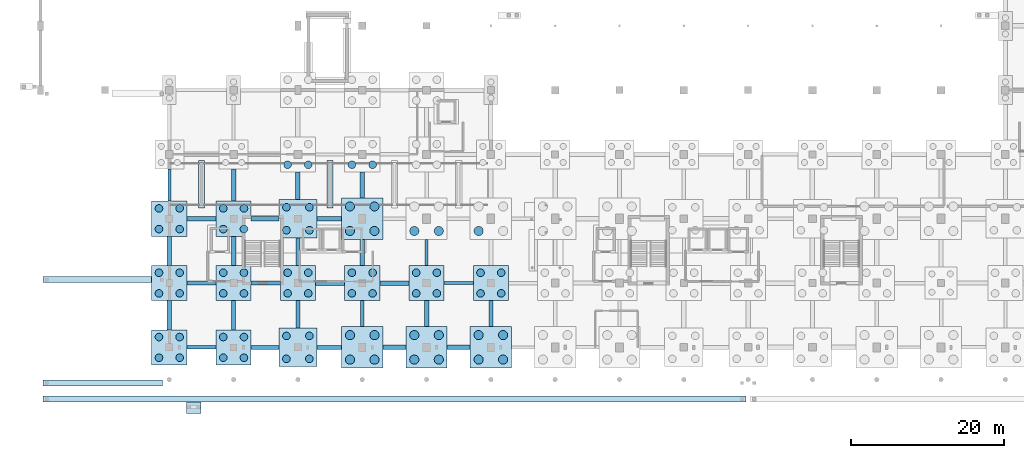
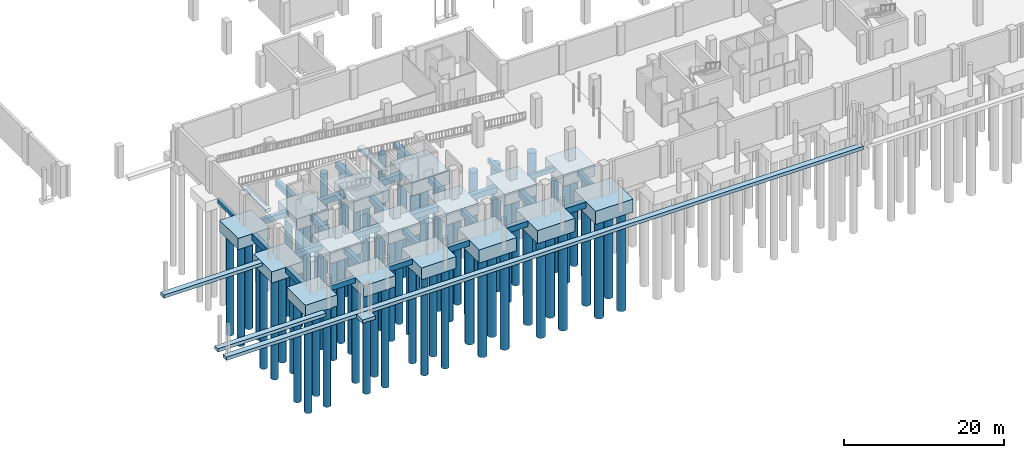
# One storey, part 1 of 39: 71 piles, 50 footings.
"""IFC4 building model written with IfcOpenShell, lengths in metres."""

from ifc_helpers import new_model, si_unit, derived_unit, direction, frame, origin, origin_2d, place, context, subcontext, project, spatial, polyline, rectangle, circle, outline, extrude, material, material_profile, profile_set, type_object, element, save


model = new_model("IFC4")

# Units and contexts
model_context = context("Model", 3, precision=1e-05, world=origin(), true_north=direction((0.0, 1.0)))
body_context = subcontext(model_context, "Body", "Model", "MODEL_VIEW")
ifc_project = project(units=[si_unit("LENGTHUNIT", "METRE"), si_unit("AREAUNIT", "SQUARE_METRE"), si_unit("VOLUMEUNIT", "CUBIC_METRE"), si_unit("PLANEANGLEUNIT", "RADIAN"), si_unit("MASSUNIT", "GRAM", prefix="KILO"), derived_unit("THERMALTRANSMITTANCEUNIT", [(si_unit("POWERUNIT", "WATT"), 1), (si_unit("LENGTHUNIT", "METRE"), -2), (si_unit("THERMODYNAMICTEMPERATUREUNIT", "KELVIN"), -1)])], contexts=[model_context])

# Site, building, storey
site_placement = place(None, origin())
site = spatial("IfcSite", under=ifc_project, at=site_placement, CompositionType="ELEMENT")
building_placement = place(site_placement, origin())
building = spatial("IfcBuilding", under=site, at=building_placement, Name="Barrovel Congress Hotel", CompositionType="ELEMENT")
storey_placement = place(building_placement, frame((0.0, 0.0, -4.5)))
storey = spatial("IfcBuildingStorey", under=building, at=storey_placement, Name="B01", CompositionType="ELEMENT", Elevation=-4.5)

# Footings
ifc_material_1 = material(Name="Concrete C40", Category="concrete")
footing_type_1 = type_object("IfcFootingType", Name="CAP-PC-09", PredefinedType="PILE_CAP", material=ifc_material_1)
for number, where, z_axis, x_axis, name in (
    (1, (16.800048828125, 4.199951171875, -2.06005859375), (0.0, 0.0, 1.0), (1.0, 0.0, 0.0), "CAP:B01:16.8:4.2"),
    (2, (16.800048828125, 12.60009765625, -2.06005859375), (0.0, 0.0, 1.0), (1.0, 0.0, 0.0), "CAP:B01:16.8:12.6"),
    (3, (16.800048828125, 21.0, -2.06005859375), (0.0, 0.0, 1.0), (1.0, 0.0, 0.0), "CAP:B01:16.8:21.0"),
    (4, (25.199951171875, 4.199951171875, -2.06005859375), (0.0, 0.0, 1.0), (1.0, 0.0, 0.0), "CAP:B01:25.2:4.2"),
    (5, (25.199951171875, 12.60009765625, -2.06005859375), (0.0, 0.0, 1.0), (1.0, 0.0, 0.0), "CAP:B01:25.2:12.6"),
    (6, (25.199951171875, 21.0, -2.06005859375), (0.0, 0.0, 1.0), (1.0, 0.0, 0.0), "CAP:B01:25.2:21.0"),
    (7, (33.60009765625, 12.60009765625, -2.06005859375), (0.0, 0.0, 1.0), (1.0, 0.0, 0.0), "CAP:B01:33.6:12.6"),
    (8, (42.0, 12.60009765625, -2.06005859375), (0.0, 0.0, 1.0), (1.0, 0.0, 0.0), "CAP:B01:42.0:12.6"),
    (9, (50.39990234375, 12.60009765625, -2.06005859375), (0.0, 0.0, 1.0), (1.0, 0.0, 0.0), "CAP:B01:50.4:12.6"),
    (10, (58.800048828125, 12.60009765625, -2.06005859375), (0.0, 0.0, 1.0), (1.0, 0.0, 0.0), "CAP:B01:58.8:12.6"),
):
    element("IfcFooting", number, at=place(storey_placement, frame(where, z_axis=z_axis, x_axis=x_axis)), inside=storey, type_object=footing_type_1, Name=name, PredefinedType="PILE_CAP", context=body_context, shape_type="SweptSolid", body=[
        extrude(rectangle(XDim=4.60009765625, YDim=4.60009765625, at=origin_2d()), origin(), (0.0, 0.0, 1.0), 1.699951171875),
    ])
footing_type_2 = type_object("IfcFootingType", Name="CAP-PC-10", PredefinedType="PILE_CAP", material=ifc_material_1)
for number, where, z_axis, x_axis, name in (
    (11, (33.60009765625, 4.199951171875, -2.16015625), (0.0, 0.0, 1.0), (1.0, 0.0, 0.0), "CAP:B01:33.6:4.2"),
    (12, (33.60009765625, 21.0, -2.16015625), (0.0, 0.0, 1.0), (1.0, 0.0, 0.0), "CAP:B01:33.6:21.0"),
):
    element("IfcFooting", number, at=place(storey_placement, frame(where, z_axis=z_axis, x_axis=x_axis)), inside=storey, type_object=footing_type_2, Name=name, PredefinedType="PILE_CAP", context=body_context, shape_type="SweptSolid", body=[
        extrude(rectangle(XDim=5.0, YDim=5.0, at=origin_2d()), origin(), (0.0, 0.0, 1.0), 1.800048828125),
    ])
footing_type_3 = type_object("IfcFootingType", Name="CAP-PC-11", PredefinedType="PILE_CAP", material=ifc_material_1)
for number, where, z_axis, x_axis, name in (
    (13, (42.0, 4.199951171875, -2.360107421875), (0.0, 0.0, 1.0), (1.0, 0.0, 0.0), "CAP:B01:42.0:4.2"),
    (14, (42.0, 21.0, -2.360107421875), (0.0, 0.0, 1.0), (1.0, 0.0, 0.0), "CAP:B01:42.0:21.0"),
    (15, (50.39990234375, 4.199951171875, -2.360107421875), (0.0, 0.0, 1.0), (1.0, 0.0, 0.0), "CAP:B01:50.4:4.2"),
    (16, (58.800048828125, 4.199951171875, -2.360107421875), (0.0, 0.0, 1.0), (1.0, 0.0, 0.0), "CAP:B01:58.8:4.2"),
):
    element("IfcFooting", number, at=place(storey_placement, frame(where, z_axis=z_axis, x_axis=x_axis)), inside=storey, type_object=footing_type_3, Name=name, PredefinedType="PILE_CAP", context=body_context, shape_type="SweptSolid", body=[
        extrude(rectangle(XDim=5.39990234375, YDim=5.39990234375, at=origin_2d()), origin(), (0.0, 0.0, 1.0), 2.0),
    ])
footing_type_4 = type_object("IfcFootingType", Name="FB-400x700", PredefinedType="FOOTING_BEAM", material=ifc_material_1)
footing_1_placement = place(storey_placement, frame((0.0, 0.0, -1.06005859375)))
element("IfcFooting", 17, at=footing_1_placement, inside=storey, type_object=footing_type_4, Name="FBX:B01:12.6:50.4-58.8", PredefinedType="FOOTING_BEAM", context=body_context, shape_type="SweptSolid", body=[
    extrude(outline(polyline([(52.699951171875, 12.39990234375), (56.5, 12.39990234375), (56.5, 12.800048828125), (52.699951171875, 12.800048828125), (52.699951171875, 12.39990234375)])), origin(), (0.0, 0.0, 1.0), 0.699951171875),
])
footing_2_placement = place(storey_placement, frame((0.0, 0.0, -1.06005859375)))
element("IfcFooting", 18, at=footing_2_placement, inside=storey, type_object=footing_type_4, Name="FBY:B01:16.8:21.0-29.4", PredefinedType="FOOTING_BEAM", context=body_context, shape_type="SweptSolid", body=[
    extrude(outline(polyline([(16.60009765625, 23.300048828125), (17.0, 23.300048828125), (17.0, 27.5), (16.60009765625, 27.5), (16.60009765625, 23.300048828125)])), origin(), (0.0, 0.0, 1.0), 0.699951171875),
])
footing_3_placement = place(storey_placement, frame((0.0, 0.0, -1.06005859375)))
element("IfcFooting", 19, at=footing_3_placement, inside=storey, type_object=footing_type_4, Name="FBY:B01:50.4:12.6-21.0", PredefinedType="FOOTING_BEAM", context=body_context, shape_type="SweptSolid", body=[
    extrude(outline(polyline([(50.199951171875, 14.89990234375), (50.60009765625, 14.89990234375), (50.60009765625, 18.300048828125), (50.199951171875, 18.300048828125), (50.199951171875, 14.89990234375)])), origin(), (0.0, 0.0, 1.0), 0.699951171875),
])
footing_type_5 = type_object("IfcFootingType", Name="FB-450x750", PredefinedType="FOOTING_BEAM", material=ifc_material_1)
footing_4_placement = place(storey_placement, frame((0.0, 0.0, -1.110107421875)))
element("IfcFooting", 20, at=footing_4_placement, inside=storey, type_object=footing_type_5, Name="FBX:B01:4.2:16.8-25.2", PredefinedType="FOOTING_BEAM", context=body_context, shape_type="SweptSolid", body=[
    extrude(outline(polyline([(19.10009765625, 3.97509765625), (22.89990234375, 3.97509765625), (22.89990234375, 4.425048828125), (19.10009765625, 4.425048828125), (19.10009765625, 3.97509765625)])), origin(), (0.0, 0.0, 1.0), 0.75),
])
footing_type_6 = type_object("IfcFootingType", Name="FB-500x800", PredefinedType="FOOTING_BEAM", material=ifc_material_1)
footing_5_placement = place(storey_placement, frame((0.0, 0.0, -1.159912109375)))
element("IfcFooting", 21, at=footing_5_placement, inside=storey, type_object=footing_type_6, Name="FBX:B01:4.2:25.2-33.6", PredefinedType="FOOTING_BEAM", context=body_context, shape_type="SweptSolid", body=[
    extrude(outline(polyline([(27.5, 3.949951171875), (31.10009765625, 3.949951171875), (31.10009765625, 4.449951171875), (27.5, 4.449951171875), (27.5, 3.949951171875)])), origin(), (0.0, 0.0, 1.0), 0.7998046875),
])
footing_6_placement = place(storey_placement, frame((0.0, 0.0, -1.159912109375)))
element("IfcFooting", 22, at=footing_6_placement, inside=storey, type_object=footing_type_6, Name="FBX:B01:12.6:16.8-25.2", PredefinedType="FOOTING_BEAM", context=body_context, shape_type="SweptSolid", body=[
    extrude(outline(polyline([(19.10009765625, 12.35009765625), (22.89990234375, 12.35009765625), (22.89990234375, 12.85009765625), (19.10009765625, 12.85009765625), (19.10009765625, 12.35009765625)])), origin(), (0.0, 0.0, 1.0), 0.7998046875),
])
footing_7_placement = place(storey_placement, frame((0.0, 0.0, -1.159912109375)))
element("IfcFooting", 23, at=footing_7_placement, inside=storey, type_object=footing_type_6, Name="FBY:B01:33.6:4.2-12.6", PredefinedType="FOOTING_BEAM", context=body_context, shape_type="SweptSolid", body=[
    extrude(outline(polyline([(33.35009765625, 6.699951171875), (33.85009765625, 6.699951171875), (33.85009765625, 10.300048828125), (33.35009765625, 10.300048828125), (33.35009765625, 6.699951171875)])), origin(), (0.0, 0.0, 1.0), 0.7998046875),
])
footing_8_placement = place(storey_placement, frame((0.0, 0.0, -1.159912109375)))
element("IfcFooting", 24, at=footing_8_placement, inside=storey, type_object=footing_type_6, Name="FBY:B01:42.0:4.2-12.6", PredefinedType="FOOTING_BEAM", context=body_context, shape_type="SweptSolid", body=[
    extrude(outline(polyline([(41.75, 6.89990234375), (42.25, 6.89990234375), (42.25, 10.300048828125), (41.75, 10.300048828125), (41.75, 6.89990234375)])), origin(), (0.0, 0.0, 1.0), 0.7998046875),
])
footing_9_placement = place(storey_placement, frame((0.0, 0.0, -1.159912109375)))
element("IfcFooting", 25, at=footing_9_placement, inside=storey, type_object=footing_type_6, Name="FBY:B01:58.8:4.2-12.6", PredefinedType="FOOTING_BEAM", context=body_context, shape_type="SweptSolid", body=[
    extrude(outline(polyline([(58.550048828125, 6.89990234375), (59.050048828125, 6.89990234375), (59.050048828125, 10.300048828125), (58.550048828125, 10.300048828125), (58.550048828125, 6.89990234375)])), origin(), (0.0, 0.0, 1.0), 0.7998046875),
])
footing_type_7 = type_object("IfcFootingType", Name="FB-550x850", PredefinedType="FOOTING_BEAM", material=ifc_material_1)
footing_10_placement = place(storey_placement, frame((0.0, 0.0, -1.2099609375)))
element("IfcFooting", 26, at=footing_10_placement, inside=storey, type_object=footing_type_7, Name="FBX:B01:4.2:33.6-42.0", PredefinedType="FOOTING_BEAM", context=body_context, shape_type="SweptSolid", body=[
    extrude(outline(polyline([(36.10009765625, 3.925048828125), (39.300048828125, 3.925048828125), (39.300048828125, 4.47509765625), (36.10009765625, 4.47509765625), (36.10009765625, 3.925048828125)])), origin(), (0.0, 0.0, 1.0), 0.849853515625),
])
footing_11_placement = place(storey_placement, frame((0.0, 0.0, -1.2099609375)))
element("IfcFooting", 27, at=footing_11_placement, inside=storey, type_object=footing_type_7, Name="FBX:B01:12.6:25.2-33.6", PredefinedType="FOOTING_BEAM", context=body_context, shape_type="SweptSolid", body=[
    extrude(outline(polyline([(27.5, 12.324951171875), (31.300048828125, 12.324951171875), (31.300048828125, 12.875), (27.5, 12.875), (27.5, 12.324951171875)])), origin(), (0.0, 0.0, 1.0), 0.849853515625),
])
footing_12_placement = place(storey_placement, frame((0.0, 0.0, -1.2099609375)))
element("IfcFooting", 28, at=footing_12_placement, inside=storey, type_object=footing_type_7, Name="FBX:B01:21.0:16.8-25.2", PredefinedType="FOOTING_BEAM", context=body_context, shape_type="SweptSolid", body=[
    extrude(outline(polyline([(19.10009765625, 20.72509765625), (22.89990234375, 20.72509765625), (22.89990234375, 21.27490234375), (19.10009765625, 21.27490234375), (19.10009765625, 20.72509765625)])), origin(), (0.0, 0.0, 1.0), 0.849853515625),
])
footing_13_placement = place(storey_placement, frame((0.0, 0.0, -1.2099609375)))
element("IfcFooting", 29, at=footing_13_placement, inside=storey, type_object=footing_type_7, Name="FBY:B01:25.2:4.2-12.6", PredefinedType="FOOTING_BEAM", context=body_context, shape_type="SweptSolid", body=[
    extrude(outline(polyline([(24.925048828125, 6.5), (25.47509765625, 6.5), (25.47509765625, 10.300048828125), (24.925048828125, 10.300048828125), (24.925048828125, 6.5)])), origin(), (0.0, 0.0, 1.0), 0.849853515625),
])
footing_14_placement = place(storey_placement, frame((0.0, 0.0, -1.2099609375)))
element("IfcFooting", 30, at=footing_14_placement, inside=storey, type_object=footing_type_7, Name="FBY:B01:33.6:12.6-21.0", PredefinedType="FOOTING_BEAM", context=body_context, shape_type="SweptSolid", body=[
    extrude(outline(polyline([(33.324951171875, 14.89990234375), (33.875, 14.89990234375), (33.875, 18.5), (33.324951171875, 18.5), (33.324951171875, 14.89990234375)])), origin(), (0.0, 0.0, 1.0), 0.849853515625),
])
footing_15_placement = place(storey_placement, frame((0.0, 0.0, -1.2099609375)))
element("IfcFooting", 31, at=footing_15_placement, inside=storey, type_object=footing_type_7, Name="FBY:B01:42.0:12.6-21.0", PredefinedType="FOOTING_BEAM", context=body_context, shape_type="SweptSolid", body=[
    extrude(outline(polyline([(41.72509765625, 14.89990234375), (42.27490234375, 14.89990234375), (42.27490234375, 18.300048828125), (41.72509765625, 18.300048828125), (41.72509765625, 14.89990234375)])), origin(), (0.0, 0.0, 1.0), 0.849853515625),
])
footing_type_8 = type_object("IfcFootingType", Name="FB-600x850", PredefinedType="FOOTING_BEAM", material=ifc_material_1)
footing_16_placement = place(storey_placement, frame((0.0, 0.0, -1.2099609375)))
element("IfcFooting", 32, at=footing_16_placement, inside=storey, type_object=footing_type_8, Name="FBX:B01:4.2:42.0-50.4", PredefinedType="FOOTING_BEAM", context=body_context, shape_type="SweptSolid", body=[
    extrude(outline(polyline([(44.699951171875, 3.89990234375), (47.699951171875, 3.89990234375), (47.699951171875, 4.5), (44.699951171875, 4.5), (44.699951171875, 3.89990234375)])), origin(), (0.0, 0.0, 1.0), 0.849853515625),
])
footing_17_placement = place(storey_placement, frame((0.0, 0.0, -1.2099609375)))
element("IfcFooting", 33, at=footing_17_placement, inside=storey, type_object=footing_type_8, Name="FBX:B01:12.6:33.6-42.0", PredefinedType="FOOTING_BEAM", context=body_context, shape_type="SweptSolid", body=[
    extrude(outline(polyline([(35.89990234375, 12.300048828125), (39.699951171875, 12.300048828125), (39.699951171875, 12.89990234375), (35.89990234375, 12.89990234375), (35.89990234375, 12.300048828125)])), origin(), (0.0, 0.0, 1.0), 0.849853515625),
])
footing_18_placement = place(storey_placement, frame((0.0, 0.0, -1.2099609375)))
element("IfcFooting", 34, at=footing_18_placement, inside=storey, type_object=footing_type_8, Name="FBX:B01:21.0:25.2-33.6", PredefinedType="FOOTING_BEAM", context=body_context, shape_type="SweptSolid", body=[
    extrude(outline(polyline([(27.5, 20.699951171875), (31.10009765625, 20.699951171875), (31.10009765625, 21.300048828125), (27.5, 21.300048828125), (27.5, 20.699951171875)])), origin(), (0.0, 0.0, 1.0), 0.849853515625),
])
footing_19_placement = place(storey_placement, frame((0.0, 0.0, -1.2099609375)))
element("IfcFooting", 35, at=footing_19_placement, inside=storey, type_object=footing_type_8, Name="FBY:B01:16.8:4.2-12.6", PredefinedType="FOOTING_BEAM", context=body_context, shape_type="SweptSolid", body=[
    extrude(outline(polyline([(16.5, 6.5), (17.10009765625, 6.5), (17.10009765625, 10.300048828125), (16.5, 10.300048828125), (16.5, 6.5)])), origin(), (0.0, 0.0, 1.0), 0.849853515625),
])
footing_20_placement = place(storey_placement, frame((0.0, 0.0, -1.2099609375)))
element("IfcFooting", 36, at=footing_20_placement, inside=storey, type_object=footing_type_8, Name="FBY:B01:25.2:12.6-21.0", PredefinedType="FOOTING_BEAM", context=body_context, shape_type="SweptSolid", body=[
    extrude(outline(polyline([(24.89990234375, 14.89990234375), (25.5, 14.89990234375), (25.5, 18.699951171875), (24.89990234375, 18.699951171875), (24.89990234375, 14.89990234375)])), origin(), (0.0, 0.0, 1.0), 0.849853515625),
])
footing_21_placement = place(storey_placement, frame((0.0, 0.0, -1.2099609375)))
element("IfcFooting", 37, at=footing_21_placement, inside=storey, type_object=footing_type_8, Name="FBY:B01:33.6:21.0-29.4", PredefinedType="FOOTING_BEAM", context=body_context, shape_type="SweptSolid", body=[
    extrude(outline(polyline([(33.300048828125, 23.5), (33.89990234375, 23.5), (33.89990234375, 27.10009765625), (33.300048828125, 27.10009765625), (33.300048828125, 23.5)])), origin(), (0.0, 0.0, 1.0), 0.849853515625),
])
footing_22_placement = place(storey_placement, frame((0.0, 0.0, -1.2099609375)))
element("IfcFooting", 38, at=footing_22_placement, inside=storey, type_object=footing_type_8, Name="FBY:B01:42.0:21.0-29.4", PredefinedType="FOOTING_BEAM", context=body_context, shape_type="SweptSolid", body=[
    extrude(outline(polyline([(41.699951171875, 23.699951171875), (42.300048828125, 23.699951171875), (42.300048828125, 27.10009765625), (41.699951171875, 27.10009765625), (41.699951171875, 23.699951171875)])), origin(), (0.0, 0.0, 1.0), 0.849853515625),
])
footing_type_9 = type_object("IfcFootingType", Name="FB-600x950", PredefinedType="FOOTING_BEAM", material=ifc_material_1)
footing_23_placement = place(storey_placement, frame((0.0, 0.0, -1.31005859375)))
element("IfcFooting", 39, at=footing_23_placement, inside=storey, type_object=footing_type_9, Name="FBX:B01:4.2:50.4-58.8", PredefinedType="FOOTING_BEAM", context=body_context, shape_type="SweptSolid", body=[
    extrude(outline(polyline([(53.10009765625, 3.89990234375), (56.10009765625, 3.89990234375), (56.10009765625, 4.5), (53.10009765625, 4.5), (53.10009765625, 3.89990234375)])), origin(), (0.0, 0.0, 1.0), 0.949951171875),
])
footing_24_placement = place(storey_placement, frame((0.0, 0.0, -1.31005859375)))
element("IfcFooting", 40, at=footing_24_placement, inside=storey, type_object=footing_type_9, Name="FBX:B01:12.6:42.0-50.4", PredefinedType="FOOTING_BEAM", context=body_context, shape_type="SweptSolid", body=[
    extrude(outline(polyline([(44.300048828125, 12.300048828125), (48.10009765625, 12.300048828125), (48.10009765625, 12.89990234375), (44.300048828125, 12.89990234375), (44.300048828125, 12.300048828125)])), origin(), (0.0, 0.0, 1.0), 0.949951171875),
])
footing_25_placement = place(storey_placement, frame((0.0, 0.0, -1.31005859375)))
element("IfcFooting", 41, at=footing_25_placement, inside=storey, type_object=footing_type_9, Name="FBX:B01:21.0:33.6-42.0", PredefinedType="FOOTING_BEAM", context=body_context, shape_type="SweptSolid", body=[
    extrude(outline(polyline([(36.10009765625, 20.699951171875), (39.300048828125, 20.699951171875), (39.300048828125, 21.300048828125), (36.10009765625, 21.300048828125), (36.10009765625, 20.699951171875)])), origin(), (0.0, 0.0, 1.0), 0.949951171875),
])
footing_26_placement = place(storey_placement, frame((0.0, 0.0, -1.31005859375)))
element("IfcFooting", 42, at=footing_26_placement, inside=storey, type_object=footing_type_9, Name="FBY:B01:16.8:12.6-21.0", PredefinedType="FOOTING_BEAM", context=body_context, shape_type="SweptSolid", body=[
    extrude(outline(polyline([(16.5, 14.89990234375), (17.10009765625, 14.89990234375), (17.10009765625, 18.699951171875), (16.5, 18.699951171875), (16.5, 14.89990234375)])), origin(), (0.0, 0.0, 1.0), 0.949951171875),
])
footing_27_placement = place(storey_placement, frame((0.0, 0.0, -1.31005859375)))
element("IfcFooting", 43, at=footing_27_placement, inside=storey, type_object=footing_type_9, Name="FBY:B01:25.2:21.0-29.4", PredefinedType="FOOTING_BEAM", context=body_context, shape_type="SweptSolid", body=[
    extrude(outline(polyline([(24.89990234375, 23.300048828125), (25.5, 23.300048828125), (25.5, 27.5), (24.89990234375, 27.5), (24.89990234375, 23.300048828125)])), origin(), (0.0, 0.0, 1.0), 0.949951171875),
])
footing_28_placement = place(storey_placement, frame((0.0, 0.0, -1.31005859375)))
element("IfcFooting", 44, at=footing_28_placement, inside=storey, type_object=footing_type_9, Name="FBY:B01:50.4:4.2-12.6", PredefinedType="FOOTING_BEAM", context=body_context, shape_type="SweptSolid", body=[
    extrude(outline(polyline([(50.10009765625, 6.89990234375), (50.699951171875, 6.89990234375), (50.699951171875, 10.300048828125), (50.10009765625, 10.300048828125), (50.10009765625, 6.89990234375)])), origin(), (0.0, 0.0, 1.0), 0.949951171875),
])

# Piles
ifc_material_2 = material(Name="Concrete C35", Category="concrete")
ifc_material_profile_1 = material_profile(ifc_material_2, circle(Radius=0.5, at=origin_2d()), Name="BP-D1000")
ifc_profile_set_1 = profile_set([ifc_material_profile_1], Name="Concrete C35")
pile_type_1 = type_object("IfcPileType", Name="PILE-BP-D1000", PredefinedType="BORED", material=ifc_profile_set_1)
for number, where, z_axis, x_axis, name in (
    (45, (15.449951171875, 2.85009765625, -2.06005859375), (0.0, 0.0, -1.0), (1.0, 0.0, 0.0), "PILE:B01:16.8:4.2:1"),
    (46, (18.14990234375, 2.85009765625, -2.06005859375), (0.0, 0.0, -1.0), (1.0, 0.0, 0.0), "PILE:B01:16.8:4.2:2"),
    (47, (15.449951171875, 5.550048828125, -2.06005859375), (0.0, 0.0, -1.0), (1.0, 0.0, 0.0), "PILE:B01:16.8:4.2:3"),
    (48, (18.14990234375, 5.550048828125, -2.06005859375), (0.0, 0.0, -1.0), (1.0, 0.0, 0.0), "PILE:B01:16.8:4.2:4"),
    (49, (15.449951171875, 11.25, -2.06005859375), (0.0, 0.0, -1.0), (1.0, 0.0, 0.0), "PILE:B01:16.8:12.6:1"),
    (50, (18.14990234375, 11.25, -2.06005859375), (0.0, 0.0, -1.0), (1.0, 0.0, 0.0), "PILE:B01:16.8:12.6:2"),
    (51, (15.449951171875, 13.949951171875, -2.06005859375), (0.0, 0.0, -1.0), (1.0, 0.0, 0.0), "PILE:B01:16.8:12.6:3"),
    (52, (18.14990234375, 13.949951171875, -2.06005859375), (0.0, 0.0, -1.0), (1.0, 0.0, 0.0), "PILE:B01:16.8:12.6:4"),
    (53, (15.449951171875, 19.64990234375, -2.06005859375), (0.0, 0.0, -1.0), (1.0, 0.0, 0.0), "PILE:B01:16.8:21.0:1"),
    (54, (18.14990234375, 19.64990234375, -2.06005859375), (0.0, 0.0, -1.0), (1.0, 0.0, 0.0), "PILE:B01:16.8:21.0:2"),
    (55, (15.449951171875, 22.35009765625, -2.06005859375), (0.0, 0.0, -1.0), (1.0, 0.0, 0.0), "PILE:B01:16.8:21.0:3"),
    (56, (18.14990234375, 22.35009765625, -2.06005859375), (0.0, 0.0, -1.0), (1.0, 0.0, 0.0), "PILE:B01:16.8:21.0:4"),
    (57, (23.85009765625, 2.85009765625, -2.06005859375), (0.0, 0.0, -1.0), (1.0, 0.0, 0.0), "PILE:B01:25.2:4.2:1"),
    (58, (26.550048828125, 2.85009765625, -2.06005859375), (0.0, 0.0, -1.0), (1.0, 0.0, 0.0), "PILE:B01:25.2:4.2:2"),
    (59, (23.85009765625, 5.550048828125, -2.06005859375), (0.0, 0.0, -1.0), (1.0, 0.0, 0.0), "PILE:B01:25.2:4.2:3"),
    (60, (26.550048828125, 5.550048828125, -2.06005859375), (0.0, 0.0, -1.0), (1.0, 0.0, 0.0), "PILE:B01:25.2:4.2:4"),
    (61, (23.85009765625, 11.25, -2.06005859375), (0.0, 0.0, -1.0), (1.0, 0.0, 0.0), "PILE:B01:25.2:12.6:1"),
    (62, (26.550048828125, 11.25, -2.06005859375), (0.0, 0.0, -1.0), (1.0, 0.0, 0.0), "PILE:B01:25.2:12.6:2"),
    (63, (23.85009765625, 13.949951171875, -2.06005859375), (0.0, 0.0, -1.0), (1.0, 0.0, 0.0), "PILE:B01:25.2:12.6:3"),
    (64, (26.550048828125, 13.949951171875, -2.06005859375), (0.0, 0.0, -1.0), (1.0, 0.0, 0.0), "PILE:B01:25.2:12.6:4"),
    (65, (23.85009765625, 19.64990234375, -2.06005859375), (0.0, 0.0, -1.0), (1.0, 0.0, 0.0), "PILE:B01:25.2:21.0:1"),
    (66, (26.550048828125, 19.64990234375, -2.06005859375), (0.0, 0.0, -1.0), (1.0, 0.0, 0.0), "PILE:B01:25.2:21.0:2"),
    (67, (23.85009765625, 22.35009765625, -2.06005859375), (0.0, 0.0, -1.0), (1.0, 0.0, 0.0), "PILE:B01:25.2:21.0:3"),
    (68, (26.550048828125, 22.35009765625, -2.06005859375), (0.0, 0.0, -1.0), (1.0, 0.0, 0.0), "PILE:B01:25.2:21.0:4"),
):
    element("IfcPile", number, at=place(storey_placement, frame(where, z_axis=z_axis, x_axis=x_axis)), inside=storey, type_object=pile_type_1, Name=name, PredefinedType="BORED", context=body_context, shape_type="SweptSolid", body=[
        extrude(circle(Radius=0.5, at=origin_2d()), origin(), (0.0, 0.0, 1.0), 15.340087890625),
    ])
for number, where, z_axis, x_axis, name in (
    (69, (32.10009765625, 2.699951171875, -2.159912109375), (0.0, 0.0, -1.0), (1.0, 0.0, 0.0), "PILE:B01:33.6:4.2:1"),
    (70, (35.10009765625, 2.699951171875, -2.159912109375), (0.0, 0.0, -1.0), (1.0, 0.0, 0.0), "PILE:B01:33.6:4.2:2"),
    (71, (32.10009765625, 5.699951171875, -2.159912109375), (0.0, 0.0, -1.0), (1.0, 0.0, 0.0), "PILE:B01:33.6:4.2:3"),
    (72, (35.10009765625, 5.699951171875, -2.159912109375), (0.0, 0.0, -1.0), (1.0, 0.0, 0.0), "PILE:B01:33.6:4.2:4"),
):
    element("IfcPile", number, at=place(storey_placement, frame(where, z_axis=z_axis, x_axis=x_axis)), inside=storey, type_object=pile_type_1, Name=name, PredefinedType="BORED", context=body_context, shape_type="SweptSolid", body=[
        extrude(circle(Radius=0.5, at=origin_2d()), origin(), (0.0, 0.0, 1.0), 15.239990234375),
    ])
for number, where, z_axis, x_axis, name in (
    (73, (32.25, 11.25, -2.06005859375), (0.0, 0.0, -1.0), (1.0, 0.0, 0.0), "PILE:B01:33.6:12.6:1"),
    (74, (34.949951171875, 11.25, -2.06005859375), (0.0, 0.0, -1.0), (1.0, 0.0, 0.0), "PILE:B01:33.6:12.6:2"),
    (75, (32.25, 13.949951171875, -2.06005859375), (0.0, 0.0, -1.0), (1.0, 0.0, 0.0), "PILE:B01:33.6:12.6:3"),
    (76, (34.949951171875, 13.949951171875, -2.06005859375), (0.0, 0.0, -1.0), (1.0, 0.0, 0.0), "PILE:B01:33.6:12.6:4"),
):
    element("IfcPile", number, at=place(storey_placement, frame(where, z_axis=z_axis, x_axis=x_axis)), inside=storey, type_object=pile_type_1, Name=name, PredefinedType="BORED", context=body_context, shape_type="SweptSolid", body=[
        extrude(circle(Radius=0.5, at=origin_2d()), origin(), (0.0, 0.0, 1.0), 15.340087890625),
    ])
for number, where, z_axis, x_axis, name in (
    (77, (32.10009765625, 19.5, -2.159912109375), (0.0, 0.0, -1.0), (1.0, 0.0, 0.0), "PILE:B01:33.6:21.0:1"),
    (78, (35.10009765625, 19.5, -2.159912109375), (0.0, 0.0, -1.0), (1.0, 0.0, 0.0), "PILE:B01:33.6:21.0:2"),
    (79, (32.10009765625, 22.5, -2.159912109375), (0.0, 0.0, -1.0), (1.0, 0.0, 0.0), "PILE:B01:33.6:21.0:3"),
    (80, (35.10009765625, 22.5, -2.159912109375), (0.0, 0.0, -1.0), (1.0, 0.0, 0.0), "PILE:B01:33.6:21.0:4"),
):
    element("IfcPile", number, at=place(storey_placement, frame(where, z_axis=z_axis, x_axis=x_axis)), inside=storey, type_object=pile_type_1, Name=name, PredefinedType="BORED", context=body_context, shape_type="SweptSolid", body=[
        extrude(circle(Radius=0.5, at=origin_2d()), origin(), (0.0, 0.0, 1.0), 15.239990234375),
    ])
for number, where, z_axis, x_axis, name in (
    (81, (32.25, 28.050048828125, -2.06005859375), (0.0, 0.0, -1.0), (1.0, 0.0, 0.0), "PILE:B01:33.6:29.4:1"),
    (82, (34.949951171875, 28.050048828125, -2.06005859375), (0.0, 0.0, -1.0), (1.0, 0.0, 0.0), "PILE:B01:33.6:29.4:2"),
    (83, (40.64990234375, 11.25, -2.06005859375), (0.0, 0.0, -1.0), (1.0, 0.0, 0.0), "PILE:B01:42.0:12.6:1"),
    (84, (43.35009765625, 11.25, -2.06005859375), (0.0, 0.0, -1.0), (1.0, 0.0, 0.0), "PILE:B01:42.0:12.6:2"),
    (85, (40.64990234375, 13.949951171875, -2.06005859375), (0.0, 0.0, -1.0), (1.0, 0.0, 0.0), "PILE:B01:42.0:12.6:3"),
    (86, (43.35009765625, 13.949951171875, -2.06005859375), (0.0, 0.0, -1.0), (1.0, 0.0, 0.0), "PILE:B01:42.0:12.6:4"),
    (87, (40.64990234375, 28.050048828125, -2.06005859375), (0.0, 0.0, -1.0), (1.0, 0.0, 0.0), "PILE:B01:42.0:29.4:1"),
    (88, (43.35009765625, 28.050048828125, -2.06005859375), (0.0, 0.0, -1.0), (1.0, 0.0, 0.0), "PILE:B01:42.0:29.4:2"),
    (89, (49.050048828125, 11.25, -2.06005859375), (0.0, 0.0, -1.0), (1.0, 0.0, 0.0), "PILE:B01:50.4:12.6:1"),
    (90, (51.75, 11.25, -2.06005859375), (0.0, 0.0, -1.0), (1.0, 0.0, 0.0), "PILE:B01:50.4:12.6:2"),
    (91, (49.050048828125, 13.949951171875, -2.06005859375), (0.0, 0.0, -1.0), (1.0, 0.0, 0.0), "PILE:B01:50.4:12.6:3"),
    (92, (51.75, 13.949951171875, -2.06005859375), (0.0, 0.0, -1.0), (1.0, 0.0, 0.0), "PILE:B01:50.4:12.6:4"),
    (93, (57.449951171875, 11.25, -2.06005859375), (0.0, 0.0, -1.0), (1.0, 0.0, 0.0), "PILE:B01:58.8:12.6:1"),
    (94, (60.14990234375, 11.25, -2.06005859375), (0.0, 0.0, -1.0), (1.0, 0.0, 0.0), "PILE:B01:58.8:12.6:2"),
    (95, (57.449951171875, 13.949951171875, -2.06005859375), (0.0, 0.0, -1.0), (1.0, 0.0, 0.0), "PILE:B01:58.8:12.6:3"),
    (96, (60.14990234375, 13.949951171875, -2.06005859375), (0.0, 0.0, -1.0), (1.0, 0.0, 0.0), "PILE:B01:58.8:12.6:4"),
):
    element("IfcPile", number, at=place(storey_placement, frame(where, z_axis=z_axis, x_axis=x_axis)), inside=storey, type_object=pile_type_1, Name=name, PredefinedType="BORED", context=body_context, shape_type="SweptSolid", body=[
        extrude(circle(Radius=0.5, at=origin_2d()), origin(), (0.0, 0.0, 1.0), 15.340087890625),
    ])
ifc_material_profile_2 = material_profile(ifc_material_2, circle(Radius=0.60009765625, at=origin_2d()), Name="BP-D1200")
ifc_profile_set_2 = profile_set([ifc_material_profile_2], Name="Concrete C35")
pile_type_2 = type_object("IfcPileType", Name="PILE-BP-D1200", PredefinedType="BORED", material=ifc_profile_set_2)
for number, where, z_axis, x_axis, name in (
    (97, (40.39990234375, 2.60009765625, -2.360107421875), (0.0, 0.0, -1.0), (1.0, 0.0, 0.0), "PILE:B01:42.0:4.2:1"),
    (98, (43.60009765625, 2.60009765625, -2.360107421875), (0.0, 0.0, -1.0), (1.0, 0.0, 0.0), "PILE:B01:42.0:4.2:2"),
    (99, (40.39990234375, 5.800048828125, -2.360107421875), (0.0, 0.0, -1.0), (1.0, 0.0, 0.0), "PILE:B01:42.0:4.2:3"),
    (100, (43.60009765625, 5.800048828125, -2.360107421875), (0.0, 0.0, -1.0), (1.0, 0.0, 0.0), "PILE:B01:42.0:4.2:4"),
    (101, (40.39990234375, 19.39990234375, -2.360107421875), (0.0, 0.0, -1.0), (1.0, 0.0, 0.0), "PILE:B01:42.0:21.0:1"),
    (102, (43.60009765625, 19.39990234375, -2.360107421875), (0.0, 0.0, -1.0), (1.0, 0.0, 0.0), "PILE:B01:42.0:21.0:2"),
    (103, (40.39990234375, 22.60009765625, -2.360107421875), (0.0, 0.0, -1.0), (1.0, 0.0, 0.0), "PILE:B01:42.0:21.0:3"),
    (104, (43.60009765625, 22.60009765625, -2.360107421875), (0.0, 0.0, -1.0), (1.0, 0.0, 0.0), "PILE:B01:42.0:21.0:4"),
    (105, (48.800048828125, 2.60009765625, -2.360107421875), (0.0, 0.0, -1.0), (1.0, 0.0, 0.0), "PILE:B01:50.4:4.2:1"),
    (106, (52.0, 2.60009765625, -2.360107421875), (0.0, 0.0, -1.0), (1.0, 0.0, 0.0), "PILE:B01:50.4:4.2:2"),
    (107, (48.800048828125, 5.800048828125, -2.360107421875), (0.0, 0.0, -1.0), (1.0, 0.0, 0.0), "PILE:B01:50.4:4.2:3"),
    (108, (52.0, 5.800048828125, -2.360107421875), (0.0, 0.0, -1.0), (1.0, 0.0, 0.0), "PILE:B01:50.4:4.2:4"),
    (109, (48.800048828125, 19.39990234375, -2.360107421875), (0.0, 0.0, -1.0), (1.0, 0.0, 0.0), "PILE:B01:50.4:21.0:1"),
    (110, (52.0, 19.39990234375, -2.360107421875), (0.0, 0.0, -1.0), (1.0, 0.0, 0.0), "PILE:B01:50.4:21.0:2"),
    (111, (57.199951171875, 2.60009765625, -2.360107421875), (0.0, 0.0, -1.0), (1.0, 0.0, 0.0), "PILE:B01:58.8:4.2:1"),
    (112, (60.39990234375, 2.60009765625, -2.360107421875), (0.0, 0.0, -1.0), (1.0, 0.0, 0.0), "PILE:B01:58.8:4.2:2"),
    (113, (57.199951171875, 5.800048828125, -2.360107421875), (0.0, 0.0, -1.0), (1.0, 0.0, 0.0), "PILE:B01:58.8:4.2:3"),
    (114, (60.39990234375, 5.800048828125, -2.360107421875), (0.0, 0.0, -1.0), (1.0, 0.0, 0.0), "PILE:B01:58.8:4.2:4"),
    (115, (57.199951171875, 19.39990234375, -2.360107421875), (0.0, 0.0, -1.0), (1.0, 0.0, 0.0), "PILE:B01:58.8:21.0:1"),
):
    element("IfcPile", number, at=place(storey_placement, frame(where, z_axis=z_axis, x_axis=x_axis)), inside=storey, type_object=pile_type_2, Name=name, PredefinedType="BORED", context=body_context, shape_type="SweptSolid", body=[
        extrude(circle(Radius=0.60009765625, at=origin_2d()), origin(), (0.0, 0.0, 1.0), 15.0400390625),
    ])

# Footings
footing_type_10 = type_object("IfcFootingType", Name="SF-800x500", PredefinedType="STRIP_FOOTING", material=ifc_material_1)
footing_29_placement = place(storey_placement, frame((0.0, 0.0, -0.860107421875)))
element("IfcFooting", 116, at=footing_29_placement, inside=storey, type_object=footing_type_10, Name="SF:PAV-SOUTH-W:A", PredefinedType="STRIP_FOOTING", context=body_context, shape_type="SweptSolid", body=[
    extrude(outline(polyline([(0.300048828125, -2.949951171875), (92.10009765625, -2.949951171875), (92.10009765625, -2.14990234375), (0.300048828125, -2.14990234375), (0.300048828125, -2.949951171875)])), origin(), (0.0, 0.0, 1.0), 0.5),
])
footing_30_placement = place(storey_placement, frame((0.0, 0.0, -0.860107421875)))
element("IfcFooting", 117, at=footing_30_placement, inside=storey, type_object=footing_type_10, Name="SF:PAV-SOUTH-W:B", PredefinedType="STRIP_FOOTING", context=body_context, shape_type="SweptSolid", body=[
    extrude(outline(polyline([(0.300048828125, -0.85009765625), (15.889892578125, -0.85009765625), (15.889892578125, -0.050048828125), (0.300048828125, -0.050048828125), (0.300048828125, -0.85009765625)])), origin(), (0.0, 0.0, 1.0), 0.5),
])
footing_31_placement = place(storey_placement, frame((0.0, 0.0, -0.860107421875)))
element("IfcFooting", 118, at=footing_31_placement, inside=storey, type_object=footing_type_10, Name="SF:PAV-WEST-APRON:A", PredefinedType="STRIP_FOOTING", context=body_context, shape_type="SweptSolid", body=[
    extrude(outline(polyline([(0.300048828125, 12.64990234375), (14.489990234375, 12.64990234375), (14.489990234375, 13.449951171875), (0.300048828125, 13.449951171875), (0.300048828125, 12.64990234375)])), origin(), (0.0, 0.0, 1.0), 0.5),
])
footing_32_placement = place(storey_placement, frame((0.0, 0.0, -0.860107421875)))
element("IfcFooting", 119, at=footing_32_placement, inside=storey, type_object=footing_type_10, Name="SF:R01:3", PredefinedType="STRIP_FOOTING", context=body_context, shape_type="SweptSolid", body=[
    extrude(outline(polyline([(37.39990234375, 22.39990234375), (38.199951171875, 22.39990234375), (38.199951171875, 28.60009765625), (37.39990234375, 28.60009765625), (37.39990234375, 22.39990234375)])), origin(), (0.0, 0.0, 1.0), 0.5),
])
footing_33_placement = place(storey_placement, frame((0.0, 0.0, -0.860107421875)))
element("IfcFooting", 120, at=footing_33_placement, inside=storey, type_object=footing_type_10, Name="SF:R01:4", PredefinedType="STRIP_FOOTING", context=body_context, shape_type="SweptSolid", body=[
    extrude(outline(polyline([(20.60009765625, 22.39990234375), (21.39990234375, 22.39990234375), (21.39990234375, 28.60009765625), (20.60009765625, 28.60009765625), (20.60009765625, 22.39990234375)])), origin(), (0.0, 0.0, 1.0), 0.5),
])
footing_34_placement = place(storey_placement, frame((0.0, 0.0, -0.860107421875)))
element("IfcFooting", 121, at=footing_34_placement, inside=storey, type_object=footing_type_10, Name="SF:RAMP:R-03:F1:1", PredefinedType="STRIP_FOOTING", context=body_context, shape_type="SweptSolid", body=[
    extrude(outline(polyline([(19.050048828125, -4.449951171875), (20.949951171875, -4.449951171875), (20.949951171875, -2.9599609375), (19.050048828125, -2.9599609375), (19.050048828125, -4.449951171875)])), origin(), (0.0, 0.0, 1.0), 0.5),
])

save(model, "model.ifc")
